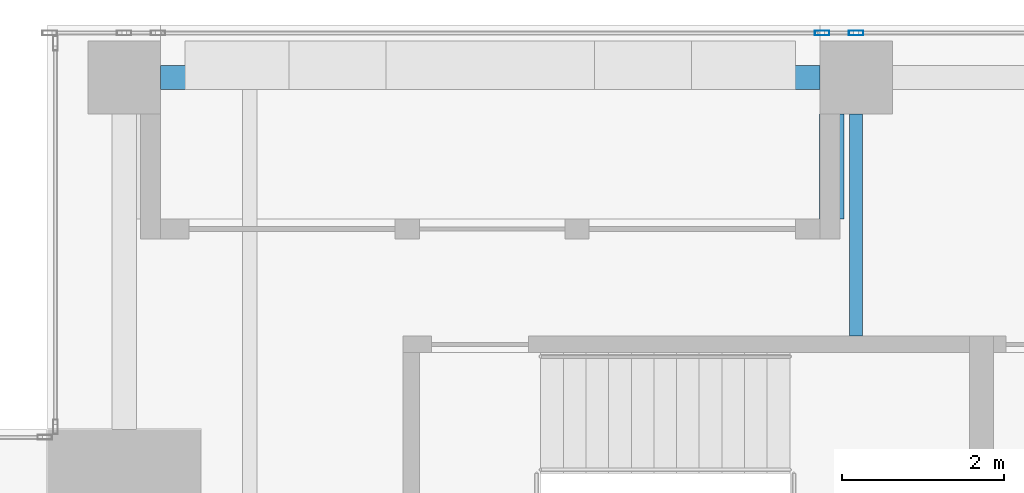
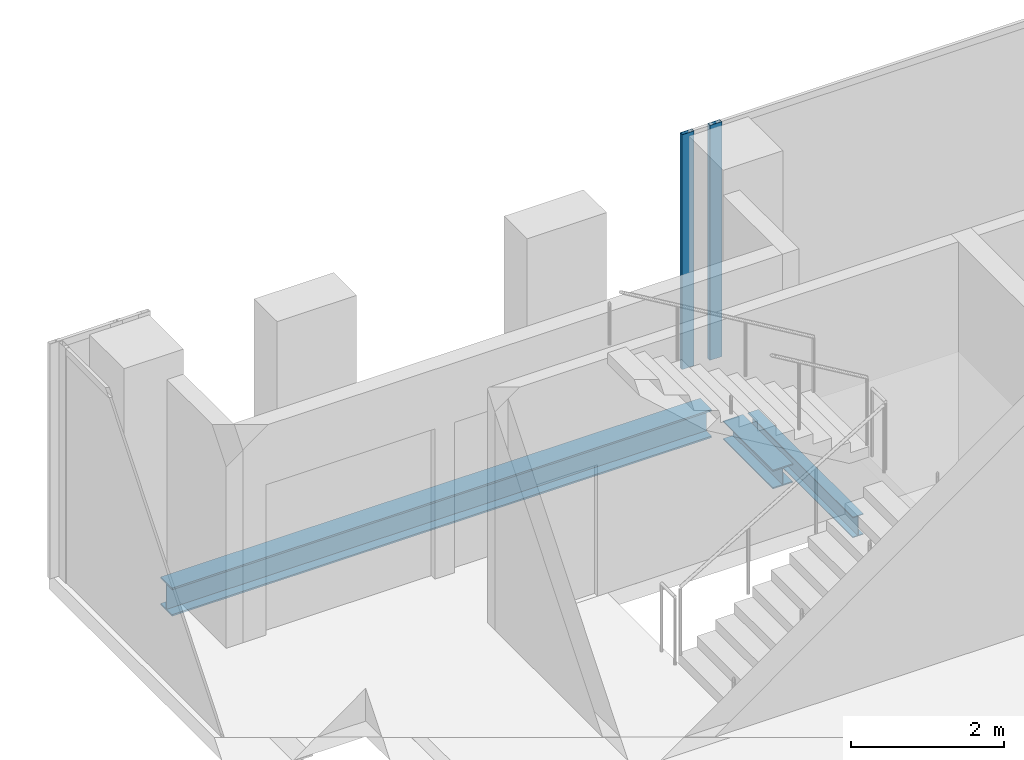
# One storey, part 18 of 36: 3 beams, 2 members, 1 element without a shape of its own.
"""IFC4 building model written with IfcOpenShell, lengths in metres."""

from ifc_helpers import new_model, si_unit, direction, frame, origin, origin_2d, place, context, subcontext, project, spatial, hollow_rectangle, i_section, extrude, source, transform, mapped, material, material_profile, profile_set, type_object, element, aggregate, save


model = new_model("IFC4")

# Units and contexts
model_context = context("Model", 3, precision=1e-05, world=origin(), true_north=direction((0.0, 1.0)))
body_context = subcontext(model_context, "Body", "Model", "MODEL_VIEW")
ifc_project = project(units=[si_unit("LENGTHUNIT", "METRE"), si_unit("AREAUNIT", "SQUARE_METRE"), si_unit("VOLUMEUNIT", "CUBIC_METRE"), si_unit("PLANEANGLEUNIT", "RADIAN"), si_unit("MASSUNIT", "GRAM", prefix="KILO")], contexts=[model_context])

# Site, building, storey
site_placement = place(None, origin())
site = spatial("IfcSite", under=ifc_project, at=site_placement, CompositionType="ELEMENT")
building_placement = place(site_placement, origin())
building = spatial("IfcBuilding", under=site, at=building_placement, Name="Khomas Fold Tower", CompositionType="ELEMENT")
storey_placement = place(building_placement, frame((0.0, 0.0, 238.199951171875)))
storey = spatial("IfcBuildingStorey", under=building, at=storey_placement, Name="L53", CompositionType="ELEMENT", Elevation=238.199951171875)

# Beams
ifc_material_1 = material(Name="Steel S355", Category="steel")
ifc_material_profile_1 = material_profile(ifc_material_1, i_section(OverallWidth=0.159912109375, OverallDepth=0.330078125, WebThickness=0.007568359375, FlangeThickness=0.011474609375, at=origin_2d()), Name="IPE 330")
ifc_profile_set_1 = profile_set([ifc_material_profile_1], Name="Steel S355")
beam_type_1 = type_object("IfcBeamType", Name="IPE 330 beam JB1", PredefinedType="BEAM", material=ifc_profile_set_1)
shared_shape_1 = source(origin(), body_context, "Body", "SweptSolid", [
    extrude(i_section(OverallWidth=0.159912109375, OverallDepth=0.330078125, WebThickness=0.007568359375, FlangeThickness=0.011474609375, at=origin_2d()), origin(), (0.0, 0.0, 1.0), 2.75),
])
beam_1_placement = place(storey_placement, frame((19.5, 45.64990234375, -0.4150390625), z_axis=(0.0, 1.0, 0.0), x_axis=(-1.0, 0.0, 0.0)))
element("IfcBeam", 1, at=beam_1_placement, inside=storey, type_object=beam_type_1, Name="JB1", PredefinedType="BEAM", context=body_context, shape_type="MappedRepresentation", body=[
    mapped(shared_shape_1, transform((0.0, 0.0, 0.0))),
])
ifc_material_2 = material(Name="Steel S355", Category="steel")
ifc_material_profile_2 = material_profile(ifc_material_2, i_section(OverallWidth=0.300048828125, OverallDepth=0.449951171875, WebThickness=0.013916015625, FlangeThickness=0.02587890625, at=origin_2d()), Name="HE 450 B")
ifc_profile_set_2 = profile_set([ifc_material_profile_2], Name="Steel S355")
beam_type_2 = type_object("IfcBeamType", Name="HE 450 B spandrel SB4", PredefinedType="SPANDREL", material=ifc_profile_set_2)
shared_shape_2 = source(origin(), body_context, "Body", "SweptSolid", [
    extrude(i_section(OverallWidth=0.300048828125, OverallDepth=0.449951171875, WebThickness=0.013916015625, FlangeThickness=0.02587890625, at=origin_2d()), origin(), (0.0, 0.0, 1.0), 8.150146484375),
])
beam_2_placement = place(storey_placement, frame((10.89990234375, 48.85009765625, -0.474853515625), z_axis=(1.0, 0.0, 0.0), x_axis=(0.0, 1.0, 0.0)))
element("IfcBeam", 2, at=beam_2_placement, inside=storey, type_object=beam_type_2, Name="SB4", PredefinedType="SPANDREL", context=body_context, shape_type="MappedRepresentation", body=[
    mapped(shared_shape_2, transform((0.0, 0.0, 0.0))),
])
ifc_material_3 = material(Name="Steel S355", Category="steel")
ifc_material_profile_3 = material_profile(ifc_material_3, i_section(OverallWidth=0.300048828125, OverallDepth=0.300048828125, WebThickness=0.010986328125, FlangeThickness=0.01904296875, at=origin_2d()), Name="HE 300 B")
ifc_profile_set_3 = profile_set([ifc_material_profile_3], Name="Steel S355")
beam_type_3 = type_object("IfcBeamType", Name="HE 300 B beam BB1", PredefinedType="BEAM", material=ifc_profile_set_3)
shared_shape_3 = source(origin(), body_context, "Body", "SweptSolid", [
    extrude(i_section(OverallWidth=0.300048828125, OverallDepth=0.300048828125, WebThickness=0.010986328125, FlangeThickness=0.01904296875, at=origin_2d()), origin(), (0.0, 0.0, 1.0), 1.2998046875),
])
beam_3_placement = place(storey_placement, frame((19.199951171875, 47.10009765625, -0.39990234375), z_axis=(0.0, 1.0, 0.0), x_axis=(-1.0, 0.0, 0.0)))
element("IfcBeam", 3, at=beam_3_placement, inside=storey, type_object=beam_type_3, Name="BB1", PredefinedType="BEAM", context=body_context, shape_type="MappedRepresentation", body=[
    mapped(shared_shape_3, transform((0.0, 0.0, 0.0))),
])

# Curtain wall, members
ifc_material_4 = material(Name="Aluminium framed double glazing", Category="aluminium")
curtain_wall_type = type_object("IfcCurtainWallType", Name="SK-Unitised clear-glass wall, office floors CW2", PredefinedType="NOTDEFINED", material=ifc_material_4)
curtain_wall_placement = place(storey_placement, origin())
curtain_wall = element("IfcCurtainWall", 4, at=curtain_wall_placement, inside=storey, type_object=curtain_wall_type, Name="CW2 run L53 06-1", PredefinedType="NOTDEFINED")
ifc_material_5 = material(Name="Aluminium", Category="aluminium")
ifc_material_profile_4 = material_profile(ifc_material_5, hollow_rectangle(XDim=0.06005859375, YDim=0.179931640625, WallThickness=0.00390625, at=origin_2d()), Name="SK-Unitised clear-glass wall, office floors mullion CW2-M")
ifc_profile_set_4 = profile_set([ifc_material_profile_4], Name="Aluminium")
member_type = type_object("IfcMemberType", Name="SK-Unitised clear-glass wall, office floors mullion CW2-M", PredefinedType="MULLION", material=ifc_profile_set_4)
shared_shape_4 = source(origin(), body_context, "Body", "SweptSolid", [
    extrude(hollow_rectangle(XDim=0.06005859375, YDim=0.179931640625, WallThickness=0.00390625, at=origin_2d()), origin(), (0.0, 0.0, 1.0), 3.75),
])
member_1_placement = place(storey_placement, frame((19.5, 49.39990234375, 0.0), z_axis=(0.0, 0.0, 1.0), x_axis=(0.0, -1.0, 0.0)))
member_1 = element("IfcMember", 5, at=member_1_placement, type_object=member_type, Name="CW2 mullion 3", PredefinedType="MULLION", context=body_context, shape_type="MappedRepresentation", body=[
    mapped(shared_shape_4, transform((0.0, 0.0, 0.0))),
])
member_2_placement = place(storey_placement, frame((19.080078125, 49.39990234375, 0.0), z_axis=(0.0, 0.0, 1.0), x_axis=(0.0, -1.0, 0.0)))
member_2 = element("IfcMember", 6, at=member_2_placement, type_object=member_type, Name="CW2 mullion 4", PredefinedType="MULLION", context=body_context, shape_type="MappedRepresentation", body=[
    mapped(shared_shape_4, transform((0.0, 0.0, 0.0))),
])
aggregate(curtain_wall, [member_1, member_2])

save(model, "model.ifc")
